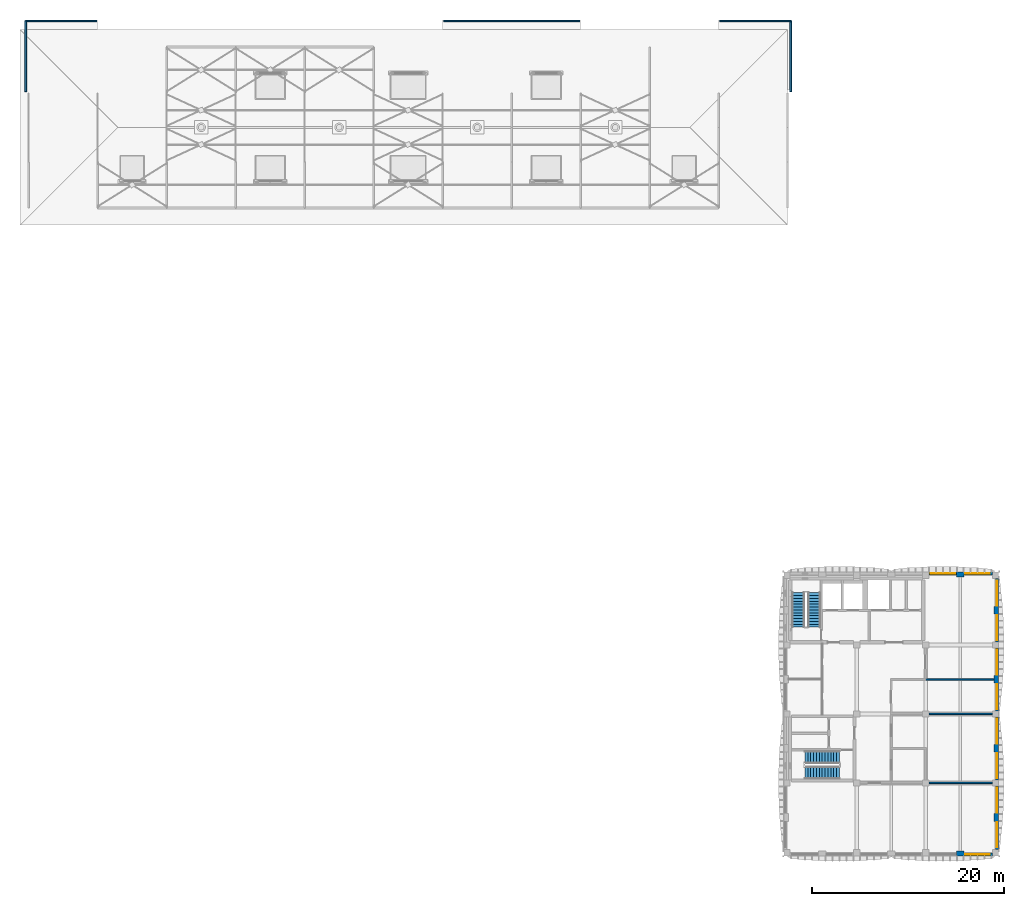
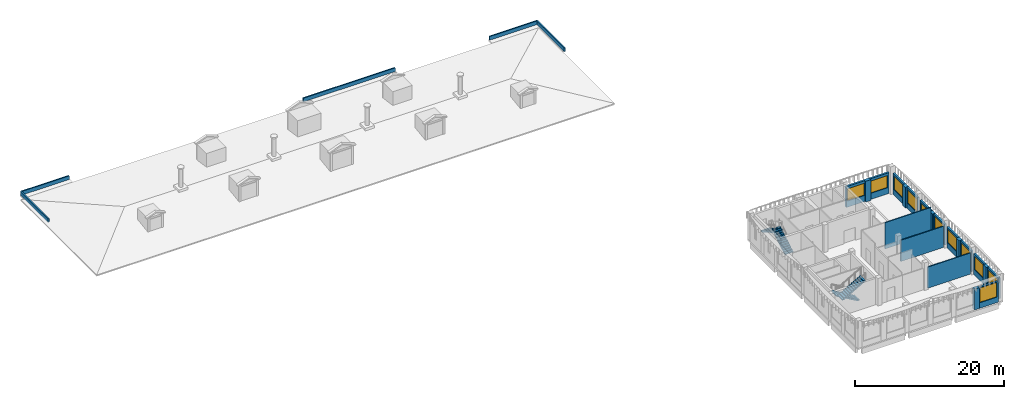
# One storey, part 6 of 24: 25 walls, 11 windows, 4 stair flights, 11 openings, 2 elements without a shape of their own.
"""IFC4 building model written with IfcOpenShell, lengths in metres."""

import ifcopenshell
import ifcopenshell.guid

model = None  # the IFC model being written
_history = None  # IfcOwnerHistory: only IFC2X3 demands one
_inside = {}  # id of a spatial element -> (the spatial element, [elements in it])
_under = {}  # id of a project, library or spatial element -> (it, [spatial elements below it])
_declared = {}  # id of a project -> (the project, [libraries it declares])
_typed = {}  # id of a type object -> (the type object, [elements of that type])
_made_of = {}  # id of a material, layer set ... -> (it, [elements and type objects made of it])


def new_model(schema):
    """Start an empty IFC model of exactly this schema.

    Asked for "IFC4X3", IfcOpenShell would pick the latest addendum, in which some entities
    have other attributes; the version numbers below select the first issue.
    IFC2X3 requires an IfcOwnerHistory on every rooted entity: one is made here for all.
    """
    global model, _history
    if schema == "IFC4X3":
        model = ifcopenshell.file(schema_version=(4, 3, 0, 0))
    else:
        model = ifcopenshell.file(schema=schema)
    _inside.clear()
    _under.clear()
    _declared.clear()
    _typed.clear()
    _made_of.clear()
    _history = None
    if model.schema == "IFC2X3":
        org = make("IfcOrganization", Name="unknown")
        user = make(
            "IfcPersonAndOrganization",
            ThePerson=make("IfcPerson", FamilyName="unknown"),
            TheOrganization=org,
        )
        app = make(
            "IfcApplication",
            ApplicationDeveloper=org,
            Version="unknown",
            ApplicationFullName="unknown",
            ApplicationIdentifier="unknown",
        )
        _history = make(
            "IfcOwnerHistory",
            OwningUser=user,
            OwningApplication=app,
            ChangeAction="ADDED",
            CreationDate=0,
        )
    return model


def make(cls, **values):
    """One entity of the class cls with the attributes given. An attribute that is None is left unset."""
    return model.create_entity(
        cls, **{name: value for name, value in values.items() if value is not None}
    )


def rooted(cls, **values):
    """An entity with a GlobalId (a new one), such as an element, a storey or a relation."""
    return make(cls, GlobalId=ifcopenshell.guid.new(), OwnerHistory=_history, **values)


def si_unit(unit_type, name, prefix=None):
    """IfcSIUnit, for example si_unit("LENGTHUNIT", "METRE", prefix="MILLI")."""
    return make("IfcSIUnit", UnitType=unit_type, Prefix=prefix, Name=name)


def assignment(units):
    """IfcUnitAssignment: the units of a project."""
    return None if units is None else make("IfcUnitAssignment", Units=units)


def point(xyz):
    """IfcCartesianPoint."""
    return None if xyz is None else make("IfcCartesianPoint", Coordinates=xyz)


def direction(xyz):
    """IfcDirection."""
    return None if xyz is None else make("IfcDirection", DirectionRatios=xyz)


def frame(location, z_axis=None, x_axis=None):
    """IfcAxis2Placement3D, a coordinate frame: its origin and axes. An axis left out is left unset."""
    return make(
        "IfcAxis2Placement3D",
        Location=point(location),
        Axis=direction(z_axis),
        RefDirection=direction(x_axis),
    )


def frame_2d(location, x_axis=None):
    """IfcAxis2Placement2D, a coordinate frame in the plane: its origin and x axis."""
    return make(
        "IfcAxis2Placement2D", Location=point(location), RefDirection=direction(x_axis)
    )


def origin():
    """The frame at (0, 0, 0) with its axes left unset."""
    return frame((0.0, 0.0, 0.0))


def place(relative_to, where):
    """IfcLocalPlacement: puts the frame where relative to a parent placement (None: the world)."""
    return make(
        "IfcLocalPlacement", PlacementRelTo=relative_to, RelativePlacement=where
    )


def context(
    kind, dimensions, precision=None, world=None, true_north=None, identifier=None
):
    """IfcGeometricRepresentationContext, for example the 3D "Model" context."""
    return make(
        "IfcGeometricRepresentationContext",
        ContextIdentifier=identifier,
        ContextType=kind,
        CoordinateSpaceDimension=dimensions,
        Precision=precision,
        WorldCoordinateSystem=world,
        TrueNorth=true_north,
    )


def subcontext(parent, identifier, kind, view, scale=None):
    """IfcGeometricRepresentationSubContext, for example "Body" below "Model"."""
    return make(
        "IfcGeometricRepresentationSubContext",
        ContextIdentifier=identifier,
        ContextType=kind,
        ParentContext=parent,
        TargetScale=scale,
        TargetView=view,
    )


def project(units=None, contexts=None):
    """IfcProject with its units and contexts."""
    return rooted(
        "IfcProject",
        Name="project",
        RepresentationContexts=contexts,
        UnitsInContext=assignment(units),
    )


def spatial(cls, under=None, at=None, **own):
    """A site, building, storey or space (cls), placed at a placement, below another one or the project."""
    s = rooted(cls, ObjectPlacement=at, **own)
    if under is not None:
        _under.setdefault(under.id(), (under, []))[1].append(s)
    return s


def polyline(points):
    """IfcPolyline through the points."""
    return make("IfcPolyline", Points=[point(p) for p in points])


def profile(cls, at=None, kind="AREA", **sizes):
    """A parametric profile (cls). Its sizes go by their IFC names, for example OverallWidth=200.0."""
    return make(cls, ProfileType=kind, Position=at, **sizes)


def rectangle(**sizes):
    """IfcRectangleProfileDef."""
    return profile("IfcRectangleProfileDef", **sizes)


def outline(outer, holes=None, kind="AREA"):
    """IfcArbitraryClosedProfileDef: a profile drawn as a closed curve; with holes, ...WithVoids."""
    if holes is None:
        return make("IfcArbitraryClosedProfileDef", ProfileType=kind, OuterCurve=outer)
    return make(
        "IfcArbitraryProfileDefWithVoids",
        ProfileType=kind,
        OuterCurve=outer,
        InnerCurves=holes,
    )


def extrude(swept, where, along, depth):
    """IfcExtrudedAreaSolid: the profile swept, set in the frame where, extruded along a direction by depth."""
    return make(
        "IfcExtrudedAreaSolid",
        SweptArea=swept,
        Position=where,
        ExtrudedDirection=direction(along),
        Depth=depth,
    )


def shape(context_of_items, identifier, shape_type, items):
    """IfcShapeRepresentation: the items that make up one representation, for example the "Body"."""
    return make(
        "IfcShapeRepresentation",
        ContextOfItems=context_of_items,
        RepresentationIdentifier=identifier,
        RepresentationType=shape_type,
        Items=items,
    )


def material(Name=None, Category=None):
    """IfcMaterial."""
    return make("IfcMaterial", Name=Name, Category=Category)


def layer(
    of_material, thickness, ventilated=None, Name=None, Category=None, Priority=None
):
    """IfcMaterialLayer: one layer of a wall or slab, of a material (None: an air gap)."""
    return make(
        "IfcMaterialLayer",
        Material=of_material,
        LayerThickness=thickness,
        IsVentilated=ventilated,
        Name=Name,
        Category=Category,
        Priority=Priority,
    )


def layer_set(layers, Name=None):
    """IfcMaterialLayerSet."""
    return make("IfcMaterialLayerSet", MaterialLayers=layers, LayerSetName=Name)


def made_of(thing, what):
    """Note that an element or type object is made of a material, layer set ...; save() writes the relation."""
    if what is not None:
        _made_of.setdefault(what.id(), (what, []))[1].append(thing)
    return thing


def type_object(cls, material=None, **own):
    """A type object (cls), such as IfcWallType, which elements share."""
    return made_of(rooted(cls, **own), material)


def element(
    cls,
    number,
    at=None,
    inside=None,
    cuts=None,
    type_object=None,
    material=None,
    context=None,
    identifier="Body",
    shape_type=None,
    held_by="IfcProductDefinitionShape",
    body=None,
    shapes=None,
    **own,
):
    """One element of the class cls, such as IfcWall. Its Tag is "e" and its number.

    at: its placement. inside: the storey or other place that contains it. cuts: it is an
    opening in that element (IfcRelVoidsElement). A single representation is given by context,
    identifier, shape_type and body (its items); several are given by shapes. held_by: the class
    of the entity that holds the representations. save() writes the other relations.
    """
    e = rooted(cls, Tag="e%d" % number, ObjectPlacement=at, **own)
    if body is not None:
        shapes = [shape(context, identifier, shape_type, body)]
    if shapes is not None:
        e.Representation = make(held_by, Representations=shapes)
    if inside is not None:
        _inside.setdefault(inside.id(), (inside, []))[1].append(e)
    if cuts is not None:
        rooted(
            "IfcRelVoidsElement", RelatingBuildingElement=cuts, RelatedOpeningElement=e
        )
    if type_object is not None:
        _typed.setdefault(type_object.id(), (type_object, []))[1].append(e)
    return made_of(e, material)


def fill(opening, filler):
    """IfcRelFillsElement: the door or window that sits in an opening."""
    return rooted(
        "IfcRelFillsElement",
        RelatingOpeningElement=opening,
        RelatedBuildingElement=filler,
    )


def aggregate(whole, parts):
    """IfcRelAggregates: a whole, such as a stair, and the parts it consists of."""
    return rooted("IfcRelAggregates", RelatingObject=whole, RelatedObjects=parts)


def save(model, path):
    """Write the relations noted so far, then the file.

    IfcRelAggregates (storeys below a building ...), IfcRelContainedInSpatialStructure (elements
    in a storey), IfcRelDefinesByType, IfcRelAssociatesMaterial and IfcRelDeclares: one each for
    every whole, place, type object, material and project.
    """
    for whole, parts in _under.values():
        aggregate(whole, parts)
    for where, things in _inside.values():
        rooted(
            "IfcRelContainedInSpatialStructure",
            RelatedElements=things,
            RelatingStructure=where,
        )
    for kind, things in _typed.values():
        rooted("IfcRelDefinesByType", RelatedObjects=things, RelatingType=kind)
    for what, things in _made_of.values():
        rooted("IfcRelAssociatesMaterial", RelatedObjects=things, RelatingMaterial=what)
    for by, libraries in _declared.values():
        rooted("IfcRelDeclares", RelatingContext=by, RelatedDefinitions=libraries)
    model.write(path)


model = new_model("IFC4")

# Units and contexts
model_context = context("Model", 3, precision=1e-05, world=origin(), true_north=direction((0.0, 1.0)))
body_context = subcontext(model_context, "Body", "Model", "MODEL_VIEW")
ifc_project = project(units=[si_unit("LENGTHUNIT", "METRE"), si_unit("AREAUNIT", "SQUARE_METRE"), si_unit("VOLUMEUNIT", "CUBIC_METRE"), si_unit("PLANEANGLEUNIT", "RADIAN"), si_unit("MASSUNIT", "GRAM", prefix="KILO")], contexts=[model_context])

# Site, building, storey
site_placement = place(None, origin())
site = spatial("IfcSite", under=ifc_project, at=site_placement, CompositionType="ELEMENT")
building_placement = place(site_placement, origin())
building = spatial("IfcBuilding", under=site, at=building_placement, Name="Ussher Court Research Institute", CompositionType="ELEMENT")
storey_placement = place(building_placement, frame((0.0, 0.0, 32.39990234375)))
storey = spatial("IfcBuildingStorey", under=building, at=storey_placement, Name="L07", CompositionType="ELEMENT", Elevation=32.39990234375)

# Walls
ifc_material_1 = material(Name="Concrete C35/45", Category="concrete")
ifc_layer_1 = layer(ifc_material_1, 0.199951171875)
ifc_layer_set_1 = layer_set([ifc_layer_1], Name="Concrete C35/45")
wall_type_1 = type_object("IfcWallType", Name="Core roof parapet 200 RC", PredefinedType="PARAPET", material=ifc_layer_set_1)
wall_1_placement = place(storey_placement, frame((2.699951171875, 90.699951171875, 0.0), z_axis=(0.0, 0.0, 1.0), x_axis=(1.0, 0.0, 0.0)))
element("IfcWall", 1, at=wall_1_placement, inside=storey, type_object=wall_type_1, Name="Core roof parapet D1", PredefinedType="PARAPET", context=body_context, shape_type="SweptSolid", body=[
    extrude(rectangle(XDim=7.400146484375, YDim=0.199951171875, at=frame_2d((3.7001953125, 0.0))), origin(), (0.0, 0.0, 1.0), 0.60009765625),
])
wall_2_placement = place(storey_placement, frame((2.699951171875, 83.300048828125, 0.0), z_axis=(0.0, 0.0, 1.0), x_axis=(0.0, 1.0, 0.0)))
element("IfcWall", 2, at=wall_2_placement, inside=storey, type_object=wall_type_1, Name="Core roof parapet D1", PredefinedType="PARAPET", context=body_context, shape_type="SweptSolid", body=[
    extrude(rectangle(XDim=7.39990234375, YDim=0.199951171875, at=frame_2d((3.699951171875, 0.0))), origin(), (0.0, 0.0, 1.0), 0.60009765625),
])
wall_3_placement = place(storey_placement, frame((46.300048828125, 90.699951171875, 0.0), z_axis=(0.0, 0.0, 1.0), x_axis=(1.0, 0.0, 0.0)))
element("IfcWall", 3, at=wall_3_placement, inside=storey, type_object=wall_type_1, Name="Core roof parapet D2", PredefinedType="PARAPET", context=body_context, shape_type="SweptSolid", body=[
    extrude(rectangle(XDim=14.199951171875, YDim=0.199951171875, at=frame_2d((7.10009765625, 0.0))), origin(), (0.0, 0.0, 1.0), 0.60009765625),
])
for number, where, z_axis, x_axis, name in (
    (4, (75.10009765625, 90.699951171875, 0.0), (0.0, 0.0, 1.0), (1.0, 0.0, 0.0), "Core roof parapet D3"),
    (5, (82.5, 83.300048828125, 0.0), (0.0, 0.0, 1.0), (0.0, 1.0, 0.0), "Core roof parapet D3"),
):
    element("IfcWall", number, at=place(storey_placement, frame(where, z_axis=z_axis, x_axis=x_axis)), inside=storey, type_object=wall_type_1, Name=name, PredefinedType="PARAPET", context=body_context, shape_type="SweptSolid", body=[
        extrude(rectangle(XDim=7.39990234375, YDim=0.199951171875, at=frame_2d((3.699951171875, 0.0))), origin(), (0.0, 0.0, 1.0), 0.60009765625),
    ])

# Wall, opening, window
ifc_material_2 = material(Name="Blockwork with cream render", Category="masonry")
ifc_layer_2 = layer(ifc_material_2, 0.300048828125)
ifc_layer_set_2 = layer_set([ifc_layer_2], Name="Blockwork with cream render")
wall_type_2 = type_object("IfcWallType", Name="External wall 300 cream render", PredefinedType="SOLIDWALL", material=ifc_layer_set_2)
wall_4_placement = place(storey_placement, frame((96.925048828125, 33.050048828125, 0.0), z_axis=(0.0, 0.0, 1.0), x_axis=(1.0, 0.0, 0.0)))
wall_4 = element("IfcWall", 6, at=wall_4_placement, inside=storey, type_object=wall_type_2, Name="External wall EW1 L07", PredefinedType="SOLIDWALL", context=body_context, shape_type="SweptSolid", body=[
    extrude(rectangle(XDim=2.875, YDim=0.300048828125, at=frame_2d((1.4375, 0.0))), origin(), (0.0, 0.0, 1.0), 3.400146484375),
])
opening_1_placement = place(wall_4_placement, frame((0.175048828125, 0.0, 1.0)))
opening_1 = element("IfcOpeningElement", 7, at=opening_1_placement, cuts=wall_4, Name="Opening W15", PredefinedType="OPENING", context=body_context, shape_type="SweptSolid", body=[
    extrude(rectangle(XDim=2.60009765625, YDim=2.0, at=frame_2d((1.300048828125, 1.0))), frame((0.0, 0.16015625, 0.0), z_axis=(0.0, -1.0, 0.0), x_axis=(1.0, 0.0, 0.0)), (0.0, 0.0, 1.0), 0.320068359375),
])
ifc_material_3 = material(Name="Bronze anodised aluminium with double glazing", Category="aluminium")
window_type_1 = type_object("IfcWindowType", Name="Service side laboratory window 2600x2000", PartitioningType="DOUBLE_PANEL_VERTICAL", PredefinedType="WINDOW", material=ifc_material_3)
window_1_placement = place(opening_1_placement, origin())
window_1 = element("IfcWindow", 8, at=window_1_placement, inside=storey, type_object=window_type_1, Name="Window W15 L07", OverallHeight=2.0, OverallWidth=2.60009765625, PartitioningType="SINGLE_PANEL", PredefinedType="WINDOW", context=body_context, shape_type="SweptSolid", body=[
    extrude(rectangle(XDim=2.60009765625, YDim=2.0, at=frame_2d((1.300048828125, 1.0))), frame((0.0, 0.030029296875, 0.0), z_axis=(0.0, -1.0, 0.0), x_axis=(1.0, 0.0, 0.0)), (0.0, 0.0, 1.0), 0.06005859375),
])
fill(opening_1, window_1)

wall_5_placement = place(storey_placement, frame((100.60009765625, 33.050048828125, 0.0), z_axis=(0.0, 0.0, 1.0), x_axis=(1.0, 0.0, 0.0)))
wall_5 = element("IfcWall", 9, at=wall_5_placement, inside=storey, type_object=wall_type_2, Name="External wall EW1 L07", PredefinedType="SOLIDWALL", context=body_context, shape_type="SweptSolid", body=[
    extrude(rectangle(XDim=2.949951171875, YDim=0.300048828125, at=frame_2d((1.47509765625, 0.0))), origin(), (0.0, 0.0, 1.0), 3.400146484375),
])
opening_2_placement = place(wall_5_placement, frame((0.10009765625, 0.0, 1.0)))
opening_2 = element("IfcOpeningElement", 10, at=opening_2_placement, cuts=wall_5, Name="Opening W15", PredefinedType="OPENING", context=body_context, shape_type="SweptSolid", body=[
    extrude(rectangle(XDim=2.60009765625, YDim=2.0, at=frame_2d((1.300048828125, 1.0))), frame((0.0, 0.16015625, 0.0), z_axis=(0.0, -1.0, 0.0), x_axis=(1.0, 0.0, 0.0)), (0.0, 0.0, 1.0), 0.320068359375),
])
window_2_placement = place(opening_2_placement, origin())
window_2 = element("IfcWindow", 11, at=window_2_placement, inside=storey, type_object=window_type_1, Name="Window W15 L07", OverallHeight=2.0, OverallWidth=2.60009765625, PartitioningType="SINGLE_PANEL", PredefinedType="WINDOW", context=body_context, shape_type="SweptSolid", body=[
    extrude(rectangle(XDim=2.60009765625, YDim=2.0, at=frame_2d((1.300048828125, 1.0))), frame((0.0, 0.030029296875, 0.0), z_axis=(0.0, -1.0, 0.0), x_axis=(1.0, 0.0, 0.0)), (0.0, 0.0, 1.0), 0.06005859375),
])
fill(opening_2, window_2)

wall_6_placement = place(storey_placement, frame((104.050048828125, 32.550048828125, 0.0), z_axis=(0.0, 0.0, 1.0), x_axis=(0.0, -1.0, 0.0)))
wall_6 = element("IfcWall", 12, at=wall_6_placement, inside=storey, type_object=wall_type_2, Name="External wall EW1 L07", PredefinedType="SOLIDWALL", context=body_context, shape_type="SweptSolid", body=[
    extrude(rectangle(XDim=2.949951171875, YDim=0.300048828125, at=frame_2d((1.47509765625, 0.0))), origin(), (0.0, 0.0, 1.0), 3.400146484375),
])
opening_3_placement = place(wall_6_placement, frame((0.25, 0.0, 0.89990234375)))
opening_3 = element("IfcOpeningElement", 13, at=opening_3_placement, cuts=wall_6, Name="Opening W13", PredefinedType="OPENING", context=body_context, shape_type="SweptSolid", body=[
    extrude(rectangle(XDim=2.60009765625, YDim=2.199951171875, at=frame_2d((1.300048828125, 1.10009765625))), frame((0.0, 0.16015625, 0.0), z_axis=(0.0, -1.0, 0.0), x_axis=(1.0, 0.0, 0.0)), (0.0, 0.0, 1.0), 0.320068359375),
])
ifc_material_4 = material(Name="Bronze anodised aluminium with double glazing", Category="aluminium")
window_type_2 = type_object("IfcWindowType", Name="East laboratory window 2600x2200", PartitioningType="DOUBLE_PANEL_VERTICAL", PredefinedType="WINDOW", material=ifc_material_4)
window_3_placement = place(opening_3_placement, origin())
window_3 = element("IfcWindow", 14, at=window_3_placement, inside=storey, type_object=window_type_2, Name="Window W13 L07", OverallHeight=2.199951171875, OverallWidth=2.60009765625, PartitioningType="SINGLE_PANEL", PredefinedType="WINDOW", context=body_context, shape_type="SweptSolid", body=[
    extrude(rectangle(XDim=2.60009765625, YDim=2.199951171875, at=frame_2d((1.300048828125, 1.10009765625))), frame((0.0, 0.030029296875, 0.0), z_axis=(0.0, -1.0, 0.0), x_axis=(1.0, 0.0, 0.0)), (0.0, 0.0, 1.0), 0.06005859375),
])
fill(opening_3, window_3)

wall_7_placement = place(storey_placement, frame((104.050048828125, 28.800048828125, 0.0), z_axis=(0.0, 0.0, 1.0), x_axis=(0.0, -1.0, 0.0)))
wall_7 = element("IfcWall", 15, at=wall_7_placement, inside=storey, type_object=wall_type_2, Name="External wall EW1 L07", PredefinedType="SOLIDWALL", context=body_context, shape_type="SweptSolid", body=[
    extrude(rectangle(XDim=2.875, YDim=0.300048828125, at=frame_2d((1.4375, 0.0))), origin(), (0.0, 0.0, 1.0), 3.400146484375),
])
opening_4_placement = place(wall_7_placement, frame((0.10009765625, 0.0, 0.89990234375)))
opening_4 = element("IfcOpeningElement", 16, at=opening_4_placement, cuts=wall_7, Name="Opening W13", PredefinedType="OPENING", context=body_context, shape_type="SweptSolid", body=[
    extrude(rectangle(XDim=2.60009765625, YDim=2.199951171875, at=frame_2d((1.300048828125, 1.10009765625))), frame((0.0, 0.16015625, 0.0), z_axis=(0.0, -1.0, 0.0), x_axis=(1.0, 0.0, 0.0)), (0.0, 0.0, 1.0), 0.320068359375),
])
window_4_placement = place(opening_4_placement, origin())
window_4 = element("IfcWindow", 17, at=window_4_placement, inside=storey, type_object=window_type_2, Name="Window W13 L07", OverallHeight=2.199951171875, OverallWidth=2.60009765625, PartitioningType="SINGLE_PANEL", PredefinedType="WINDOW", context=body_context, shape_type="SweptSolid", body=[
    extrude(rectangle(XDim=2.60009765625, YDim=2.199951171875, at=frame_2d((1.300048828125, 1.10009765625))), frame((0.0, 0.030029296875, 0.0), z_axis=(0.0, -1.0, 0.0), x_axis=(1.0, 0.0, 0.0)), (0.0, 0.0, 1.0), 0.06005859375),
])
fill(opening_4, window_4)

wall_8_placement = place(storey_placement, frame((104.050048828125, 25.27490234375, 0.0), z_axis=(0.0, 0.0, 1.0), x_axis=(0.0, -1.0, 0.0)))
wall_8 = element("IfcWall", 18, at=wall_8_placement, inside=storey, type_object=wall_type_2, Name="External wall EW1 L07", PredefinedType="SOLIDWALL", context=body_context, shape_type="SweptSolid", body=[
    extrude(rectangle(XDim=2.875, YDim=0.300048828125, at=frame_2d((1.4375, 0.0))), origin(), (0.0, 0.0, 1.0), 3.400146484375),
])
opening_5_placement = place(wall_8_placement, frame((0.175048828125, 0.0, 0.89990234375)))
opening_5 = element("IfcOpeningElement", 19, at=opening_5_placement, cuts=wall_8, Name="Opening W13", PredefinedType="OPENING", context=body_context, shape_type="SweptSolid", body=[
    extrude(rectangle(XDim=2.60009765625, YDim=2.199951171875, at=frame_2d((1.300048828125, 1.10009765625))), frame((0.0, 0.16015625, 0.0), z_axis=(0.0, -1.0, 0.0), x_axis=(1.0, 0.0, 0.0)), (0.0, 0.0, 1.0), 0.320068359375),
])
window_5_placement = place(opening_5_placement, origin())
window_5 = element("IfcWindow", 20, at=window_5_placement, inside=storey, type_object=window_type_2, Name="Window W13 L07", OverallHeight=2.199951171875, OverallWidth=2.60009765625, PartitioningType="SINGLE_PANEL", PredefinedType="WINDOW", context=body_context, shape_type="SweptSolid", body=[
    extrude(rectangle(XDim=2.60009765625, YDim=2.199951171875, at=frame_2d((1.300048828125, 1.10009765625))), frame((0.0, 0.030029296875, 0.0), z_axis=(0.0, -1.0, 0.0), x_axis=(1.0, 0.0, 0.0)), (0.0, 0.0, 1.0), 0.06005859375),
])
fill(opening_5, window_5)

wall_9_placement = place(storey_placement, frame((104.050048828125, 21.60009765625, 0.0), z_axis=(0.0, 0.0, 1.0), x_axis=(0.0, -1.0, 0.0)))
wall_9 = element("IfcWall", 21, at=wall_9_placement, inside=storey, type_object=wall_type_2, Name="External wall EW1 L07", PredefinedType="SOLIDWALL", context=body_context, shape_type="SweptSolid", body=[
    extrude(rectangle(XDim=2.875, YDim=0.300048828125, at=frame_2d((1.4375, 0.0))), origin(), (0.0, 0.0, 1.0), 3.400146484375),
])
opening_6_placement = place(wall_9_placement, frame((0.10009765625, 0.0, 0.89990234375)))
opening_6 = element("IfcOpeningElement", 22, at=opening_6_placement, cuts=wall_9, Name="Opening W13", PredefinedType="OPENING", context=body_context, shape_type="SweptSolid", body=[
    extrude(rectangle(XDim=2.60009765625, YDim=2.199951171875, at=frame_2d((1.300048828125, 1.10009765625))), frame((0.0, 0.16015625, 0.0), z_axis=(0.0, -1.0, 0.0), x_axis=(1.0, 0.0, 0.0)), (0.0, 0.0, 1.0), 0.320068359375),
])
window_6_placement = place(opening_6_placement, origin())
window_6 = element("IfcWindow", 23, at=window_6_placement, inside=storey, type_object=window_type_2, Name="Window W13 L07", OverallHeight=2.199951171875, OverallWidth=2.60009765625, PartitioningType="SINGLE_PANEL", PredefinedType="WINDOW", context=body_context, shape_type="SweptSolid", body=[
    extrude(rectangle(XDim=2.60009765625, YDim=2.199951171875, at=frame_2d((1.300048828125, 1.10009765625))), frame((0.0, 0.030029296875, 0.0), z_axis=(0.0, -1.0, 0.0), x_axis=(1.0, 0.0, 0.0)), (0.0, 0.0, 1.0), 0.06005859375),
])
fill(opening_6, window_6)

wall_10_placement = place(storey_placement, frame((104.050048828125, 18.074951171875, 0.0), z_axis=(0.0, 0.0, 1.0), x_axis=(0.0, -1.0, 0.0)))
wall_10 = element("IfcWall", 24, at=wall_10_placement, inside=storey, type_object=wall_type_2, Name="External wall EW1 L07", PredefinedType="SOLIDWALL", context=body_context, shape_type="SweptSolid", body=[
    extrude(rectangle(XDim=2.875, YDim=0.300048828125, at=frame_2d((1.4375, 0.0))), origin(), (0.0, 0.0, 1.0), 3.400146484375),
])
opening_7_placement = place(wall_10_placement, frame((0.175048828125, 0.0, 0.89990234375)))
opening_7 = element("IfcOpeningElement", 25, at=opening_7_placement, cuts=wall_10, Name="Opening W13", PredefinedType="OPENING", context=body_context, shape_type="SweptSolid", body=[
    extrude(rectangle(XDim=2.60009765625, YDim=2.199951171875, at=frame_2d((1.300048828125, 1.10009765625))), frame((0.0, 0.16015625, 0.0), z_axis=(0.0, -1.0, 0.0), x_axis=(1.0, 0.0, 0.0)), (0.0, 0.0, 1.0), 0.320068359375),
])
window_7_placement = place(opening_7_placement, origin())
window_7 = element("IfcWindow", 26, at=window_7_placement, inside=storey, type_object=window_type_2, Name="Window W13 L07", OverallHeight=2.199951171875, OverallWidth=2.60009765625, PartitioningType="SINGLE_PANEL", PredefinedType="WINDOW", context=body_context, shape_type="SweptSolid", body=[
    extrude(rectangle(XDim=2.60009765625, YDim=2.199951171875, at=frame_2d((1.300048828125, 1.10009765625))), frame((0.0, 0.030029296875, 0.0), z_axis=(0.0, -1.0, 0.0), x_axis=(1.0, 0.0, 0.0)), (0.0, 0.0, 1.0), 0.06005859375),
])
fill(opening_7, window_7)

wall_11_placement = place(storey_placement, frame((104.050048828125, 14.39990234375, 0.0), z_axis=(0.0, 0.0, 1.0), x_axis=(0.0, -1.0, 0.0)))
wall_11 = element("IfcWall", 27, at=wall_11_placement, inside=storey, type_object=wall_type_2, Name="External wall EW1 L07", PredefinedType="SOLIDWALL", context=body_context, shape_type="SweptSolid", body=[
    extrude(rectangle(XDim=2.875, YDim=0.300048828125, at=frame_2d((1.4375, 0.0))), origin(), (0.0, 0.0, 1.0), 3.400146484375),
])
opening_8_placement = place(wall_11_placement, frame((0.10009765625, 0.0, 0.89990234375)))
opening_8 = element("IfcOpeningElement", 28, at=opening_8_placement, cuts=wall_11, Name="Opening W13", PredefinedType="OPENING", context=body_context, shape_type="SweptSolid", body=[
    extrude(rectangle(XDim=2.60009765625, YDim=2.199951171875, at=frame_2d((1.300048828125, 1.10009765625))), frame((0.0, 0.16015625, 0.0), z_axis=(0.0, -1.0, 0.0), x_axis=(1.0, 0.0, 0.0)), (0.0, 0.0, 1.0), 0.320068359375),
])
window_8_placement = place(opening_8_placement, origin())
window_8 = element("IfcWindow", 29, at=window_8_placement, inside=storey, type_object=window_type_2, Name="Window W13 L07", OverallHeight=2.199951171875, OverallWidth=2.60009765625, PartitioningType="SINGLE_PANEL", PredefinedType="WINDOW", context=body_context, shape_type="SweptSolid", body=[
    extrude(rectangle(XDim=2.60009765625, YDim=2.199951171875, at=frame_2d((1.300048828125, 1.10009765625))), frame((0.0, 0.030029296875, 0.0), z_axis=(0.0, -1.0, 0.0), x_axis=(1.0, 0.0, 0.0)), (0.0, 0.0, 1.0), 0.06005859375),
])
fill(opening_8, window_8)

wall_12_placement = place(storey_placement, frame((104.050048828125, 10.875, 0.0), z_axis=(0.0, 0.0, 1.0), x_axis=(0.0, -1.0, 0.0)))
wall_12 = element("IfcWall", 30, at=wall_12_placement, inside=storey, type_object=wall_type_2, Name="External wall EW1 L07", PredefinedType="SOLIDWALL", context=body_context, shape_type="SweptSolid", body=[
    extrude(rectangle(XDim=2.875, YDim=0.300048828125, at=frame_2d((1.4375, 0.0))), origin(), (0.0, 0.0, 1.0), 3.400146484375),
])
opening_9_placement = place(wall_12_placement, frame((0.175048828125, 0.0, 0.89990234375)))
opening_9 = element("IfcOpeningElement", 31, at=opening_9_placement, cuts=wall_12, Name="Opening W13", PredefinedType="OPENING", context=body_context, shape_type="SweptSolid", body=[
    extrude(rectangle(XDim=2.60009765625, YDim=2.199951171875, at=frame_2d((1.300048828125, 1.10009765625))), frame((0.0, 0.16015625, 0.0), z_axis=(0.0, -1.0, 0.0), x_axis=(1.0, 0.0, 0.0)), (0.0, 0.0, 1.0), 0.320068359375),
])
window_9_placement = place(opening_9_placement, origin())
window_9 = element("IfcWindow", 32, at=window_9_placement, inside=storey, type_object=window_type_2, Name="Window W13 L07", OverallHeight=2.199951171875, OverallWidth=2.60009765625, PartitioningType="SINGLE_PANEL", PredefinedType="WINDOW", context=body_context, shape_type="SweptSolid", body=[
    extrude(rectangle(XDim=2.60009765625, YDim=2.199951171875, at=frame_2d((1.300048828125, 1.10009765625))), frame((0.0, 0.030029296875, 0.0), z_axis=(0.0, -1.0, 0.0), x_axis=(1.0, 0.0, 0.0)), (0.0, 0.0, 1.0), 0.06005859375),
])
fill(opening_9, window_9)

wall_13_placement = place(storey_placement, frame((104.050048828125, 7.199951171875, 0.0), z_axis=(0.0, 0.0, 1.0), x_axis=(0.0, -1.0, 0.0)))
wall_13 = element("IfcWall", 33, at=wall_13_placement, inside=storey, type_object=wall_type_2, Name="External wall EW1 L07", PredefinedType="SOLIDWALL", context=body_context, shape_type="SweptSolid", body=[
    extrude(rectangle(XDim=2.949951171875, YDim=0.300048828125, at=frame_2d((1.47509765625, 0.0))), origin(), (0.0, 0.0, 1.0), 3.400146484375),
])
opening_10_placement = place(wall_13_placement, frame((0.10009765625, 0.0, 0.89990234375)))
opening_10 = element("IfcOpeningElement", 34, at=opening_10_placement, cuts=wall_13, Name="Opening W13", PredefinedType="OPENING", context=body_context, shape_type="SweptSolid", body=[
    extrude(rectangle(XDim=2.60009765625, YDim=2.199951171875, at=frame_2d((1.300048828125, 1.10009765625))), frame((0.0, 0.16015625, 0.0), z_axis=(0.0, -1.0, 0.0), x_axis=(1.0, 0.0, 0.0)), (0.0, 0.0, 1.0), 0.320068359375),
])
window_10_placement = place(opening_10_placement, origin())
window_10 = element("IfcWindow", 35, at=window_10_placement, inside=storey, type_object=window_type_2, Name="Window W13 L07", OverallHeight=2.199951171875, OverallWidth=2.60009765625, PartitioningType="SINGLE_PANEL", PredefinedType="WINDOW", context=body_context, shape_type="SweptSolid", body=[
    extrude(rectangle(XDim=2.60009765625, YDim=2.199951171875, at=frame_2d((1.300048828125, 1.10009765625))), frame((0.0, 0.030029296875, 0.0), z_axis=(0.0, -1.0, 0.0), x_axis=(1.0, 0.0, 0.0)), (0.0, 0.0, 1.0), 0.06005859375),
])
fill(opening_10, window_10)

wall_14_placement = place(storey_placement, frame((103.550048828125, 3.75, 0.0), z_axis=(0.0, 0.0, 1.0), x_axis=(-1.0, 0.0, 0.0)))
wall_14 = element("IfcWall", 36, at=wall_14_placement, inside=storey, type_object=wall_type_2, Name="External wall EW1 L07", PredefinedType="SOLIDWALL", context=body_context, shape_type="SweptSolid", body=[
    extrude(rectangle(XDim=2.949951171875, YDim=0.300048828125, at=frame_2d((1.47509765625, 0.0))), origin(), (0.0, 0.0, 1.0), 3.400146484375),
])
opening_11_placement = place(wall_14_placement, frame((0.25, 0.0, 0.89990234375)))
opening_11 = element("IfcOpeningElement", 37, at=opening_11_placement, cuts=wall_14, Name="Opening W01", PredefinedType="OPENING", context=body_context, shape_type="SweptSolid", body=[
    extrude(rectangle(XDim=2.60009765625, YDim=2.39990234375, at=frame_2d((1.300048828125, 1.199951171875))), frame((0.0, 0.16015625, 0.0), z_axis=(0.0, -1.0, 0.0), x_axis=(1.0, 0.0, 0.0)), (0.0, 0.0, 1.0), 0.320068359375),
])
ifc_material_5 = material(Name="Bronze anodised aluminium with double glazing", Category="aluminium")
window_type_3 = type_object("IfcWindowType", Name="Laboratory bay window 2600x2400", PartitioningType="DOUBLE_PANEL_VERTICAL", PredefinedType="WINDOW", material=ifc_material_5)
window_11_placement = place(opening_11_placement, origin())
window_11 = element("IfcWindow", 38, at=window_11_placement, inside=storey, type_object=window_type_3, Name="Window W01 L07", OverallHeight=2.39990234375, OverallWidth=2.60009765625, PartitioningType="SINGLE_PANEL", PredefinedType="WINDOW", context=body_context, shape_type="SweptSolid", body=[
    extrude(rectangle(XDim=2.60009765625, YDim=2.39990234375, at=frame_2d((1.300048828125, 1.199951171875))), frame((0.0, 0.030029296875, 0.0), z_axis=(0.0, -1.0, 0.0), x_axis=(1.0, 0.0, 0.0)), (0.0, 0.0, 1.0), 0.06005859375),
])
fill(opening_11, window_11)

# Walls
ifc_material_6 = material(Name="Plastered blockwork", Category="masonry")
ifc_layer_3 = layer(ifc_material_6, 0.139892578125)
ifc_layer_set_3 = layer_set([ifc_layer_3], Name="Plastered blockwork")
wall_type_3 = type_object("IfcWallType", Name="Laboratory blockwork partition 140", PredefinedType="PARTITIONING", material=ifc_layer_set_3)
for number, where, z_axis, x_axis, name in (
    (39, (96.925048828125, 11.199951171875, 0.0), (0.0, 0.0, 1.0), (1.0, 0.0, 0.0), "Partition"),
    (40, (96.925048828125, 18.39990234375, 0.0), (0.0, 0.0, 1.0), (1.0, 0.0, 0.0), "Partition"),
):
    element("IfcWall", number, at=place(storey_placement, frame(where, z_axis=z_axis, x_axis=x_axis)), inside=storey, type_object=wall_type_3, Name=name, PredefinedType="PARTITIONING", context=body_context, shape_type="SweptSolid", body=[
        extrude(rectangle(XDim=6.625, YDim=0.139892578125, at=frame_2d((3.3125, 0.0))), origin(), (0.0, 0.0, 1.0), 3.47021484375),
    ])
wall_15_placement = place(storey_placement, frame((96.60009765625, 22.0, 0.0), z_axis=(0.0, 0.0, 1.0), x_axis=(1.0, 0.0, 0.0)))
element("IfcWall", 41, at=wall_15_placement, inside=storey, type_object=wall_type_3, Name="Partition", PredefinedType="PARTITIONING", context=body_context, shape_type="SweptSolid", body=[
    extrude(rectangle(XDim=7.099853515625, YDim=0.139892578125, at=frame_2d((3.5498046875, 0.0))), origin(), (0.0, 0.0, 1.0), 4.300048828125),
])
ifc_material_7 = material(Name="Blockwork with cream render", Category="masonry")
ifc_layer_4 = layer(ifc_material_7, 0.5)
ifc_layer_set_4 = layer_set([ifc_layer_4], Name="Blockwork with cream render")
wall_type_4 = type_object("IfcWallType", Name="Pier 800x500 cream render", PredefinedType="SOLIDWALL", material=ifc_layer_set_4)
for number, where, z_axis, x_axis, name in (
    (42, (99.800048828125, 32.949951171875, 0.0), (0.0, 0.0, 1.0), (1.0, 0.0, 0.0), "Pier PR1 L07"),
    (43, (103.949951171875, 29.60009765625, 0.0), (0.0, 0.0, 1.0), (0.0, -1.0, 0.0), "Pier PR1 L07"),
):
    element("IfcWall", number, at=place(storey_placement, frame(where, z_axis=z_axis, x_axis=x_axis)), inside=storey, type_object=wall_type_4, Name=name, PredefinedType="SOLIDWALL", context=body_context, shape_type="SweptSolid", body=[
        extrude(rectangle(XDim=0.800048828125, YDim=0.5, at=frame_2d((0.39990234375, 0.0))), origin(), (0.0, 0.0, 1.0), 3.400146484375),
    ])
wall_16_placement = place(storey_placement, frame((103.949951171875, 22.39990234375, 0.0), z_axis=(0.0, 0.0, 1.0), x_axis=(0.0, -1.0, 0.0)))
element("IfcWall", 44, at=wall_16_placement, inside=storey, type_object=wall_type_4, Name="Pier PR1 L07", PredefinedType="SOLIDWALL", context=body_context, shape_type="SweptSolid", body=[
    extrude(rectangle(XDim=0.7998046875, YDim=0.5, at=frame_2d((0.39990234375, 0.0))), origin(), (0.0, 0.0, 1.0), 3.400146484375),
])
for number, where, z_axis, x_axis, name in (
    (45, (103.949951171875, 15.199951171875, 0.0), (0.0, 0.0, 1.0), (0.0, -1.0, 0.0), "Pier PR1 L07"),
    (46, (103.949951171875, 8.0, 0.0), (0.0, 0.0, 1.0), (0.0, -1.0, 0.0), "Pier PR1 L07"),
    (47, (100.60009765625, 3.85009765625, 0.0), (0.0, 0.0, 1.0), (-1.0, 0.0, 0.0), "Pier PR1 L07"),
):
    element("IfcWall", number, at=place(storey_placement, frame(where, z_axis=z_axis, x_axis=x_axis)), inside=storey, type_object=wall_type_4, Name=name, PredefinedType="SOLIDWALL", context=body_context, shape_type="SweptSolid", body=[
        extrude(rectangle(XDim=0.800048828125, YDim=0.5, at=frame_2d((0.39990234375, 0.0))), origin(), (0.0, 0.0, 1.0), 3.400146484375),
    ])

# Stair, stair flights
ifc_material_8 = material(Name="Concrete C35/45", Category="concrete")
stair_type_1 = type_object("IfcStairType", Name="Core stair 26 risers 173 mm x 300 going 1280 wide", PredefinedType="HALF_TURN_STAIR", material=ifc_material_8)
stair_1_placement = place(storey_placement, origin())
stair_1 = element("IfcStair", 48, at=stair_1_placement, inside=storey, type_object=stair_type_1, Name="L07 Stair T1", PredefinedType="HALF_TURN_STAIR")
ifc_material_9 = material(Name="Concrete C35/45", Category="concrete")
stair_flight_type_1 = type_object("IfcStairFlightType", Name="Stair flight 13 risers 1280 RC", PredefinedType="STRAIGHT", material=ifc_material_9)
stair_flight_1_placement = place(storey_placement, frame((84.9599609375, 27.449951171875, 0.0), z_axis=(0.0, 0.0, 1.0), x_axis=(0.0, 1.0, 0.0)))
stair_flight_1 = element("IfcStairFlight", 49, at=stair_flight_1_placement, type_object=stair_flight_type_1, Name="T1 flight 1", NumberOfRisers=13, NumberOfTreads=12, PredefinedType="STRAIGHT", RiserHeight=0.173076923, TreadLength=0.3, context=body_context, shape_type="SweptSolid", body=[
    extrude(outline(polyline([(0.0, 0.0), (0.0, 0.173095703125), (0.300048828125, 0.173095703125), (0.300048828125, 0.34619140625), (0.60009765625, 0.34619140625), (0.60009765625, 0.519287109375), (0.89990234375, 0.519287109375), (0.89990234375, 0.6923828125), (1.199951171875, 0.6923828125), (1.199951171875, 0.865478515625), (1.5, 0.865478515625), (1.5, 1.03857421875), (1.800048828125, 1.03857421875), (1.800048828125, 1.21142578125), (2.10009765625, 1.21142578125), (2.10009765625, 1.384521484375), (2.39990234375, 1.384521484375), (2.39990234375, 1.5576171875), (2.699951171875, 1.5576171875), (2.699951171875, 1.730712890625), (3.0, 1.730712890625), (3.0, 1.90380859375), (3.300048828125, 1.90380859375), (3.300048828125, 2.076904296875), (3.60009765625, 2.076904296875), (3.60009765625, 2.25), (3.60009765625, 1.90380859375), (0.300048828125, 0.0), (0.0, 0.0)])), frame((0.0, 0.64013671875, 0.0), z_axis=(0.0, -1.0, 0.0), x_axis=(1.0, 0.0, 0.0)), (0.0, 0.0, 1.0), 1.280029296875),
])
stair_flight_2_placement = place(storey_placement, frame((83.2900390625, 31.050048828125, 2.25), z_axis=(0.0, 0.0, 1.0), x_axis=(0.0, -1.0, 0.0)))
stair_flight_2 = element("IfcStairFlight", 50, at=stair_flight_2_placement, type_object=stair_flight_type_1, Name="T1 flight 2", NumberOfRisers=13, NumberOfTreads=12, PredefinedType="STRAIGHT", RiserHeight=0.173076923, TreadLength=0.3, context=body_context, shape_type="SweptSolid", body=[
    extrude(outline(polyline([(0.0, 0.0), (0.0, 0.173095703125), (0.300048828125, 0.173095703125), (0.300048828125, 0.34619140625), (0.60009765625, 0.34619140625), (0.60009765625, 0.519287109375), (0.89990234375, 0.519287109375), (0.89990234375, 0.6923828125), (1.199951171875, 0.6923828125), (1.199951171875, 0.865478515625), (1.5, 0.865478515625), (1.5, 1.03857421875), (1.800048828125, 1.03857421875), (1.800048828125, 1.21142578125), (2.10009765625, 1.21142578125), (2.10009765625, 1.384521484375), (2.39990234375, 1.384521484375), (2.39990234375, 1.5576171875), (2.699951171875, 1.5576171875), (2.699951171875, 1.730712890625), (3.0, 1.730712890625), (3.0, 1.90380859375), (3.300048828125, 1.90380859375), (3.300048828125, 2.076904296875), (3.60009765625, 2.076904296875), (3.60009765625, 2.25), (3.60009765625, 1.90380859375), (0.300048828125, 0.0), (0.0, 0.0)])), frame((0.0, 0.64013671875, 0.0), z_axis=(0.0, -1.0, 0.0), x_axis=(1.0, 0.0, 0.0)), (0.0, 0.0, 1.0), 1.280029296875),
])
aggregate(stair_1, [stair_flight_1, stair_flight_2])

ifc_material_10 = material(Name="Concrete C35/45", Category="concrete")
stair_type_2 = type_object("IfcStairType", Name="Core stair 26 risers 173 mm x 300 going 1300 wide", PredefinedType="HALF_TURN_STAIR", material=ifc_material_10)
stair_2_placement = place(storey_placement, origin())
stair_2 = element("IfcStair", 51, at=stair_2_placement, inside=storey, type_object=stair_type_2, Name="L07 Stair T2", PredefinedType="HALF_TURN_STAIR")
ifc_material_11 = material(Name="Concrete C35/45", Category="concrete")
stair_flight_type_2 = type_object("IfcStairFlightType", Name="Stair flight 13 risers 1300 RC", PredefinedType="STRAIGHT", material=ifc_material_11)
stair_flight_3_placement = place(storey_placement, frame((87.60009765625, 13.89990234375, 0.0), z_axis=(0.0, 0.0, 1.0), x_axis=(-1.0, 0.0, 0.0)))
stair_flight_3 = element("IfcStairFlight", 52, at=stair_flight_3_placement, type_object=stair_flight_type_2, Name="T2 flight 1", NumberOfRisers=13, NumberOfTreads=12, PredefinedType="STRAIGHT", RiserHeight=0.173076923, TreadLength=0.3, context=body_context, shape_type="SweptSolid", body=[
    extrude(outline(polyline([(0.0, 0.0), (0.0, 0.173095703125), (0.300048828125, 0.173095703125), (0.300048828125, 0.34619140625), (0.60009765625, 0.34619140625), (0.60009765625, 0.519287109375), (0.89990234375, 0.519287109375), (0.89990234375, 0.6923828125), (1.199951171875, 0.6923828125), (1.199951171875, 0.865478515625), (1.5, 0.865478515625), (1.5, 1.03857421875), (1.800048828125, 1.03857421875), (1.800048828125, 1.21142578125), (2.10009765625, 1.21142578125), (2.10009765625, 1.384521484375), (2.39990234375, 1.384521484375), (2.39990234375, 1.5576171875), (2.699951171875, 1.5576171875), (2.699951171875, 1.730712890625), (3.0, 1.730712890625), (3.0, 1.90380859375), (3.300048828125, 1.90380859375), (3.300048828125, 2.076904296875), (3.60009765625, 2.076904296875), (3.60009765625, 2.25), (3.60009765625, 1.90380859375), (0.300048828125, 0.0), (0.0, 0.0)])), frame((0.0, 0.64990234375, 0.0), z_axis=(0.0, -1.0, 0.0), x_axis=(1.0, 0.0, 0.0)), (0.0, 0.0, 1.0), 1.300048828125),
])
stair_flight_4_placement = place(storey_placement, frame((84.0, 12.25, 2.25), z_axis=(0.0, 0.0, 1.0), x_axis=(1.0, 0.0, 0.0)))
stair_flight_4 = element("IfcStairFlight", 53, at=stair_flight_4_placement, type_object=stair_flight_type_2, Name="T2 flight 2", NumberOfRisers=13, NumberOfTreads=12, PredefinedType="STRAIGHT", RiserHeight=0.173076923, TreadLength=0.3, context=body_context, shape_type="SweptSolid", body=[
    extrude(outline(polyline([(0.0, 0.0), (0.0, 0.173095703125), (0.300048828125, 0.173095703125), (0.300048828125, 0.34619140625), (0.60009765625, 0.34619140625), (0.60009765625, 0.519287109375), (0.89990234375, 0.519287109375), (0.89990234375, 0.6923828125), (1.199951171875, 0.6923828125), (1.199951171875, 0.865478515625), (1.5, 0.865478515625), (1.5, 1.03857421875), (1.800048828125, 1.03857421875), (1.800048828125, 1.21142578125), (2.10009765625, 1.21142578125), (2.10009765625, 1.384521484375), (2.39990234375, 1.384521484375), (2.39990234375, 1.5576171875), (2.699951171875, 1.5576171875), (2.699951171875, 1.730712890625), (3.0, 1.730712890625), (3.0, 1.90380859375), (3.300048828125, 1.90380859375), (3.300048828125, 2.076904296875), (3.60009765625, 2.076904296875), (3.60009765625, 2.25), (3.60009765625, 1.90380859375), (0.300048828125, 0.0), (0.0, 0.0)])), frame((0.0, 0.64990234375, 0.0), z_axis=(0.0, -1.0, 0.0), x_axis=(1.0, 0.0, 0.0)), (0.0, 0.0, 1.0), 1.300048828125),
])
aggregate(stair_2, [stair_flight_3, stair_flight_4])

save(model, "model.ifc")
